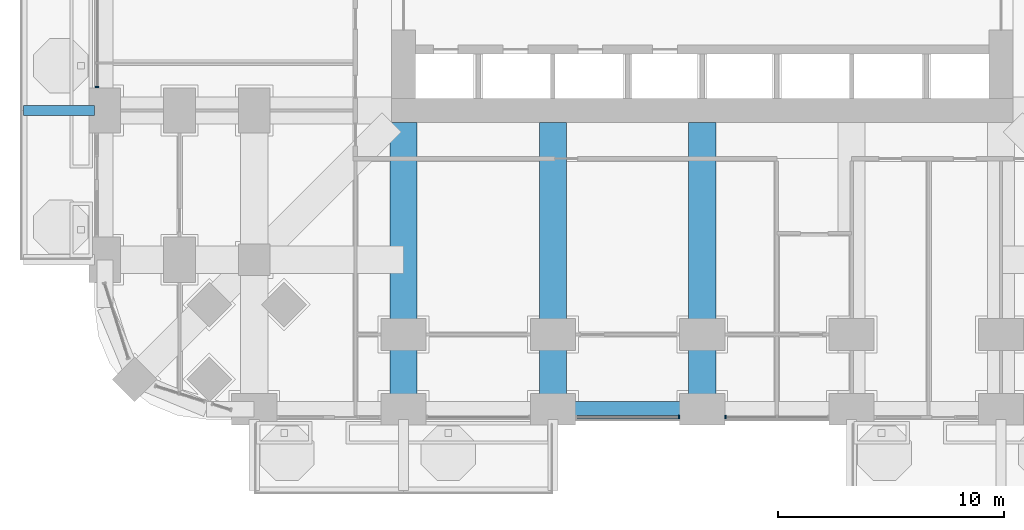
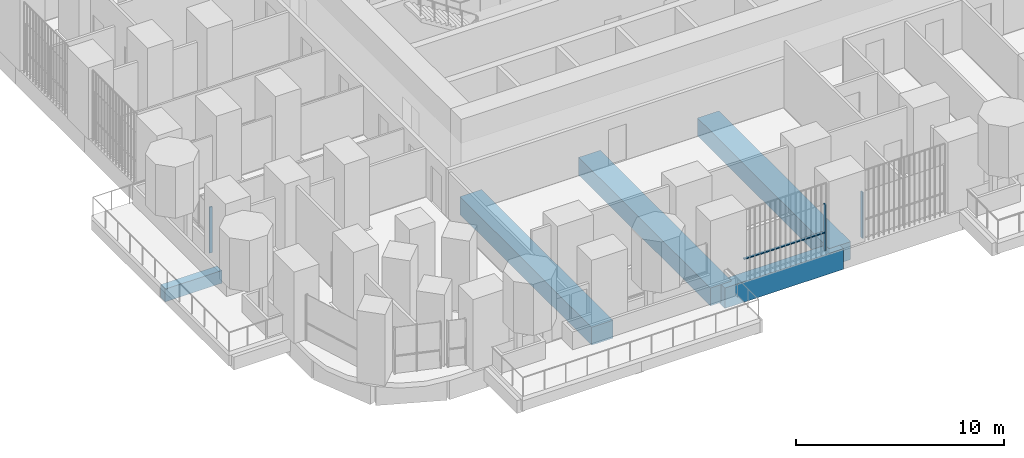
# One storey, part 3 of 25: 5 beams, 4 members, 3 elements without a shape of their own.
"""IFC4 building model written with IfcOpenShell, lengths in metres."""

from ifc_helpers import new_model, si_unit, direction, frame, origin, origin_2d, place, context, subcontext, project, spatial, rectangle, extrude, material, material_profile, profile_set, type_object, element, aggregate, save


model = new_model("IFC4")

# Units and contexts
model_context = context("Model", 3, precision=1e-05, world=origin(), true_north=direction((0.0, 1.0)))
body_context = subcontext(model_context, "Body", "Model", "MODEL_VIEW")
ifc_project = project(units=[si_unit("LENGTHUNIT", "METRE"), si_unit("AREAUNIT", "SQUARE_METRE"), si_unit("VOLUMEUNIT", "CUBIC_METRE"), si_unit("PLANEANGLEUNIT", "RADIAN"), si_unit("MASSUNIT", "GRAM", prefix="KILO")], contexts=[model_context])

# Site, building, storey
site_placement = place(None, origin())
site = spatial("IfcSite", under=ifc_project, at=site_placement, CompositionType="ELEMENT")
building_placement = place(site_placement, origin())
building = spatial("IfcBuilding", under=site, at=building_placement, Name="Cobogo Forest Laboratory Tower", CompositionType="ELEMENT")
storey_placement = place(building_placement, frame((0.0, 0.0, 21.300048828125)))
storey = spatial("IfcBuildingStorey", under=building, at=storey_placement, Name="L04", CompositionType="ELEMENT", Elevation=21.300048828125)

# Beams
ifc_material_1 = material(Name="Concrete HA-40 (C40/50)", Category="concrete")
ifc_material_profile_1 = material_profile(ifc_material_1, rectangle(XDim=0.449951171875, YDim=0.75, at=origin_2d()), Name="RC 450x750")
ifc_profile_set_1 = profile_set([ifc_material_profile_1], Name="Concrete HA-40 (C40/50)")
beam_type_1 = type_object("IfcBeamType", Name="Balcony cantilever beam 450x750", PredefinedType="BEAM", material=ifc_profile_set_1)
beam_1_placement = place(storey_placement, frame((-0.449951171875, 13.199951171875, -0.625), z_axis=(-1.0, 0.0, 0.0), x_axis=(0.0, -1.0, 0.0)))
element("IfcBeam", 1, at=beam_1_placement, inside=storey, type_object=beam_type_1, Name="CB1 BAL-W1-C2 L04", PredefinedType="BEAM", context=body_context, shape_type="SweptSolid", body=[
    extrude(rectangle(XDim=0.449951171875, YDim=0.75, at=origin_2d()), origin(), (0.0, 0.0, 1.0), 3.150146484375),
])
ifc_material_profile_2 = material_profile(ifc_material_1, rectangle(XDim=1.199951171875, YDim=1.050048828125, at=origin_2d()), Name="RC 1200x1050")
ifc_profile_set_2 = profile_set([ifc_material_profile_2], Name="Concrete HA-40 (C40/50)")
beam_type_2 = type_object("IfcBeamType", Name="Laboratory floor wide beam 1200x1050", PredefinedType="BEAM", material=ifc_profile_set_2)
for number, where, z_axis, x_axis, name in (
    (2, (13.199951171875, 12.675048828125, -0.824951171875), (0.0, -1.0, 0.0), (1.0, 0.0, 0.0), "RB1 R-3-S L04"),
    (3, (19.800048828125, 12.675048828125, -0.824951171875), (0.0, -1.0, 0.0), (1.0, 0.0, 0.0), "RB1 R-4-S L04"),
    (4, (26.39990234375, 12.675048828125, -0.824951171875), (0.0, -1.0, 0.0), (1.0, 0.0, 0.0), "RB1 R-5-S L04"),
):
    element("IfcBeam", number, at=place(storey_placement, frame(where, z_axis=z_axis, x_axis=x_axis)), inside=storey, type_object=beam_type_2, Name=name, PredefinedType="BEAM", context=body_context, shape_type="SweptSolid", body=[
        extrude(rectangle(XDim=1.199951171875, YDim=1.050048828125, at=origin_2d()), origin(), (0.0, 0.0, 1.0), 12.675048828125),
    ])

# Curtain wall, member
ifc_material_2 = material(Name="Aluminium curtain wall", Category="aluminium")
curtain_wall_type = type_object("IfcCurtainWallType", Name="CW-1 unitised curtain wall, clear glazing, laboratory floors zones A and B", PredefinedType="USERDEFINED", material=ifc_material_2)
curtain_wall_1_placement = place(storey_placement, origin())
curtain_wall_1 = element("IfcCurtainWall", 5, at=curtain_wall_1_placement, inside=storey, type_object=curtain_wall_type, Name="Curtain wall 03 L04", ObjectType="UNITISED CURTAIN WALL", PredefinedType="USERDEFINED")
ifc_material_3 = material(Name="Aluminium mullion", Category="aluminium")
ifc_material_profile_3 = material_profile(ifc_material_3, rectangle(XDim=0.06005859375, YDim=0.159912109375, at=origin_2d()), Name="AL 60x160")
ifc_profile_set_3 = profile_set([ifc_material_profile_3], Name="Aluminium mullion")
member_type_1 = type_object("IfcMemberType", Name="MU-1 aluminium mullion 60x160", PredefinedType="MULLION", material=ifc_profile_set_3)
member_1_placement = place(storey_placement, frame((25.3701171875, -0.35009765625, 0.0), z_axis=(0.0, 0.0, 1.0), x_axis=(1.0, 0.0, 0.0)))
member_1 = element("IfcMember", 6, at=member_1_placement, type_object=member_type_1, Name="CW-1 mullion 2", PredefinedType="MULLION", context=body_context, shape_type="SweptSolid", body=[
    extrude(rectangle(XDim=0.06005859375, YDim=0.159912109375, at=origin_2d()), origin(), (0.0, 0.0, 1.0), 2.699951171875),
])

curtain_wall_2_placement = place(storey_placement, origin())
curtain_wall_2 = element("IfcCurtainWall", 7, at=curtain_wall_2_placement, inside=storey, type_object=curtain_wall_type, Name="Curtain wall 04 L04", ObjectType="UNITISED CURTAIN WALL", PredefinedType="USERDEFINED")
member_2_placement = place(storey_placement, frame((27.429931640625, -0.35009765625, 0.0), z_axis=(0.0, 0.0, 1.0), x_axis=(1.0, 0.0, 0.0)))
member_2 = element("IfcMember", 8, at=member_2_placement, type_object=member_type_1, Name="CW-1 mullion 1", PredefinedType="MULLION", context=body_context, shape_type="SweptSolid", body=[
    extrude(rectangle(XDim=0.06005859375, YDim=0.159912109375, at=origin_2d()), origin(), (0.0, 0.0, 1.0), 2.699951171875),
])
aggregate(curtain_wall_2, [member_2])

curtain_wall_3_placement = place(storey_placement, origin())
curtain_wall_3 = element("IfcCurtainWall", 9, at=curtain_wall_3_placement, inside=storey, type_object=curtain_wall_type, Name="Curtain wall 30 L04", ObjectType="UNITISED CURTAIN WALL", PredefinedType="USERDEFINED")
member_3_placement = place(storey_placement, frame((-0.35009765625, 14.22998046875, 0.0), z_axis=(0.0, 0.0, 1.0), x_axis=(0.0, -1.0, 0.0)))
member_3 = element("IfcMember", 10, at=member_3_placement, type_object=member_type_1, Name="CW-1 mullion 3", PredefinedType="MULLION", context=body_context, shape_type="SweptSolid", body=[
    extrude(rectangle(XDim=0.06005859375, YDim=0.159912109375, at=origin_2d()), origin(), (0.0, 0.0, 1.0), 2.699951171875),
])
aggregate(curtain_wall_3, [member_3])

# Beam
ifc_material_profile_4 = material_profile(ifc_material_1, rectangle(XDim=0.699951171875, YDim=1.199951171875, at=origin_2d()), Name="RC 700x1200")
ifc_profile_set_4 = profile_set([ifc_material_profile_4], Name="Concrete HA-40 (C40/50)")
beam_type_3 = type_object("IfcBeamType", Name="Perimeter edge beam 700x1200", PredefinedType="BEAM", material=ifc_profile_set_4)
beam_2_placement = place(storey_placement, frame((19.800048828125, 0.0, -0.900146484375), z_axis=(1.0, 0.0, 0.0), x_axis=(0.0, 1.0, 0.0)))
element("IfcBeam", 11, at=beam_2_placement, inside=storey, type_object=beam_type_3, Name="EB1 E-S3 L04", PredefinedType="BEAM", context=body_context, shape_type="SweptSolid", body=[
    extrude(rectangle(XDim=0.699951171875, YDim=1.199951171875, at=origin_2d()), origin(), (0.0, 0.0, 1.0), 6.599853515625),
])

# Member
ifc_material_4 = material(Name="Aluminium transom", Category="aluminium")
ifc_material_profile_5 = material_profile(ifc_material_4, rectangle(XDim=0.1201171875, YDim=0.06005859375, at=origin_2d()), Name="AL 60x120")
ifc_profile_set_5 = profile_set([ifc_material_profile_5], Name="Aluminium transom")
member_type_2 = type_object("IfcMemberType", Name="TR-1 aluminium transom 60x120", PredefinedType="USERDEFINED", material=ifc_profile_set_5)
member_4_placement = place(storey_placement, frame((20.860107421875, -0.35009765625, 1.050048828125), z_axis=(1.0, 0.0, 0.0), x_axis=(0.0, 1.0, 0.0)))
member_4 = element("IfcMember", 12, at=member_4_placement, type_object=member_type_2, Name="CW-1 transom 1.1", ObjectType="TRANSOM", PredefinedType="USERDEFINED", context=body_context, shape_type="SweptSolid", body=[
    extrude(rectangle(XDim=0.1201171875, YDim=0.06005859375, at=origin_2d()), origin(), (0.0, 0.0, 1.0), 4.47998046875),
])

aggregate(curtain_wall_1, [member_1, member_4])

save(model, "model.ifc")
